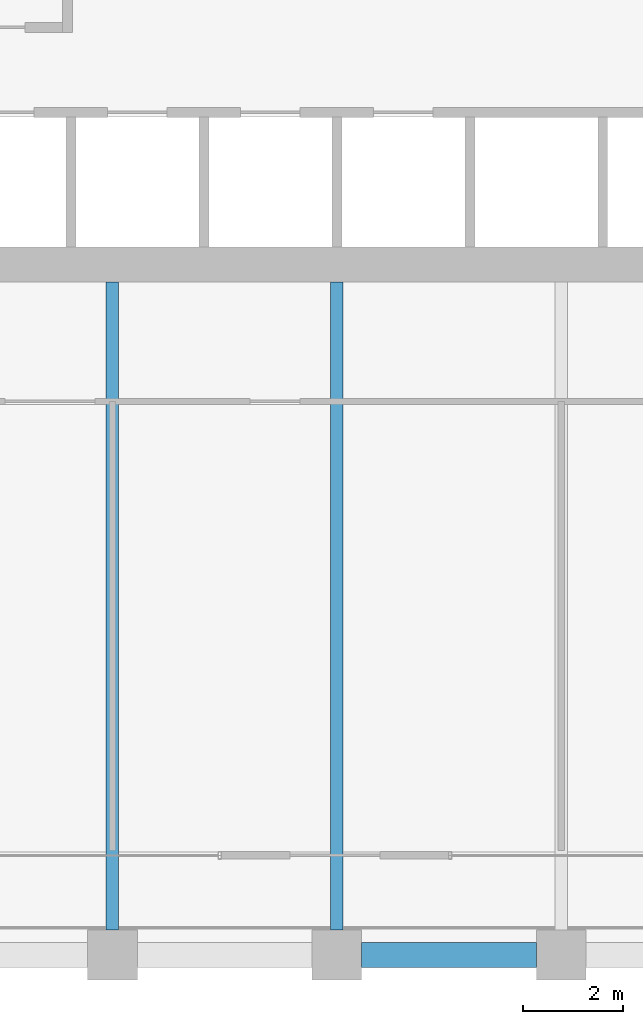
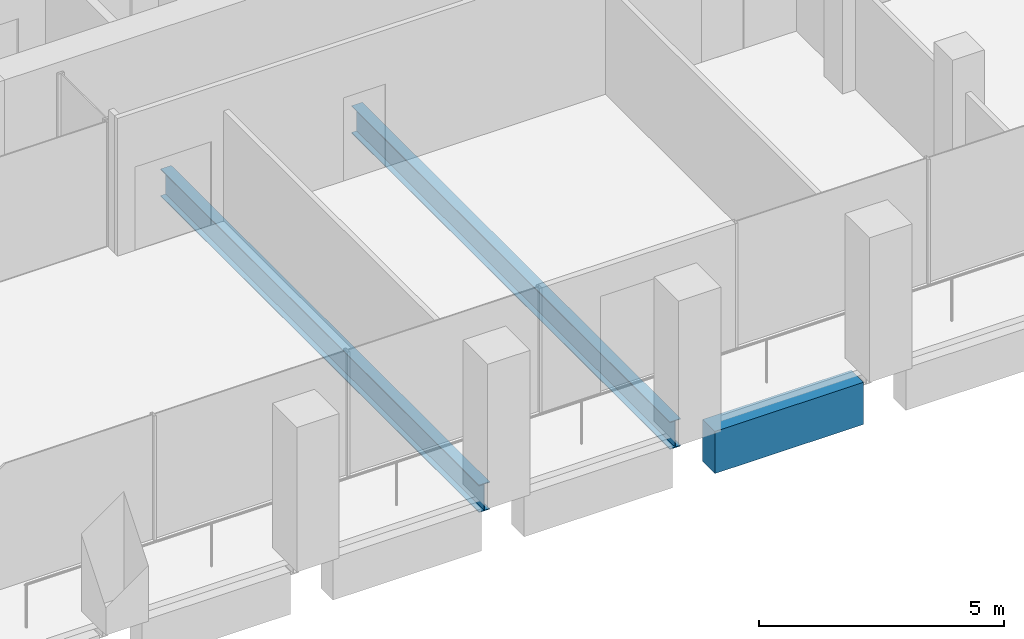
# One storey, part 8 of 47: 3 beams.
"""IFC4 building model written with IfcOpenShell, lengths in metres."""

from ifc_helpers import new_model, si_unit, direction, frame, origin, origin_2d, place, context, subcontext, project, spatial, rectangle, i_section, extrude, material, material_profile, profile_set, type_object, element, save


model = new_model("IFC4")

# Units and contexts
model_context = context("Model", 3, precision=1e-05, world=origin(), true_north=direction((0.0, 1.0)))
body_context = subcontext(model_context, "Body", "Model", "MODEL_VIEW")
ifc_project = project(units=[si_unit("LENGTHUNIT", "METRE"), si_unit("AREAUNIT", "SQUARE_METRE"), si_unit("VOLUMEUNIT", "CUBIC_METRE"), si_unit("PLANEANGLEUNIT", "RADIAN"), si_unit("MASSUNIT", "GRAM", prefix="KILO")], contexts=[model_context])

# Site, building, storey
site_placement = place(None, origin())
site = spatial("IfcSite", under=ifc_project, at=site_placement, CompositionType="ELEMENT")
building_placement = place(site_placement, origin())
building = spatial("IfcBuilding", under=site, at=building_placement, Name="Altepetl Exchange Towers", CompositionType="ELEMENT")
storey_placement = place(building_placement, frame((0.0, 0.0, 99.199951171875)))
storey = spatial("IfcBuildingStorey", under=building, at=storey_placement, Name="L24", CompositionType="ELEMENT", Elevation=99.199951171875)

# Beams
ifc_material_1 = material(Name="Steel S355", Category="steel")
ifc_material_profile_1 = material_profile(ifc_material_1, i_section(OverallWidth=0.25390625, OverallDepth=0.68408203125, WebThickness=0.012451171875, FlangeThickness=0.018798828125, at=origin_2d()), Name="W27X94")
ifc_profile_set_1 = profile_set([ifc_material_profile_1], Name="Steel S355")
beam_type_1 = type_object("IfcBeamType", Name="Floor beam W27X94", PredefinedType="BEAM", material=ifc_profile_set_1)
for number, where, z_axis, x_axis, name in (
    (1, (45.0, 27.5, -0.491943359375), (0.0, 1.0, 0.0), (-1.0, 0.0, 0.0), "bm:A:L24:015"),
    (2, (49.5, 27.5, -0.491943359375), (0.0, 1.0, 0.0), (-1.0, 0.0, 0.0), "bm:A:L24:016"),
):
    element("IfcBeam", number, at=place(storey_placement, frame(where, z_axis=z_axis, x_axis=x_axis)), inside=storey, type_object=beam_type_1, Name=name, PredefinedType="BEAM", context=body_context, shape_type="SweptSolid", body=[
        extrude(i_section(OverallWidth=0.25390625, OverallDepth=0.68408203125, WebThickness=0.012451171875, FlangeThickness=0.018798828125, at=origin_2d()), origin(), (0.0, 0.0, 1.0), 13.0),
    ])
ifc_material_2 = material(Name="Concrete C50/60 precast with cantera blanca facing", Category="concrete")
ifc_material_profile_2 = material_profile(ifc_material_2, rectangle(XDim=0.5, YDim=1.050048828125, at=origin_2d()), Name="500 x 1050")
ifc_profile_set_2 = profile_set([ifc_material_profile_2], Name="Concrete C50/60 precast with cantera blanca facing")
beam_type_2 = type_object("IfcBeamType", Name="Spandrel beam 500x1050 cantera blanca", PredefinedType="SPANDREL", material=ifc_profile_set_2)
beam_placement = place(storey_placement, frame((50.0, 27.0, -0.675048828125), z_axis=(1.0, 0.0, 0.0), x_axis=(0.0, 1.0, 0.0)))
element("IfcBeam", 3, at=beam_placement, inside=storey, type_object=beam_type_2, Name="sp:A:L24:004", PredefinedType="SPANDREL", context=body_context, shape_type="SweptSolid", body=[
    extrude(rectangle(XDim=0.5, YDim=1.050048828125, at=origin_2d()), origin(), (0.0, 0.0, 1.0), 3.5),
])

save(model, "model.ifc")
